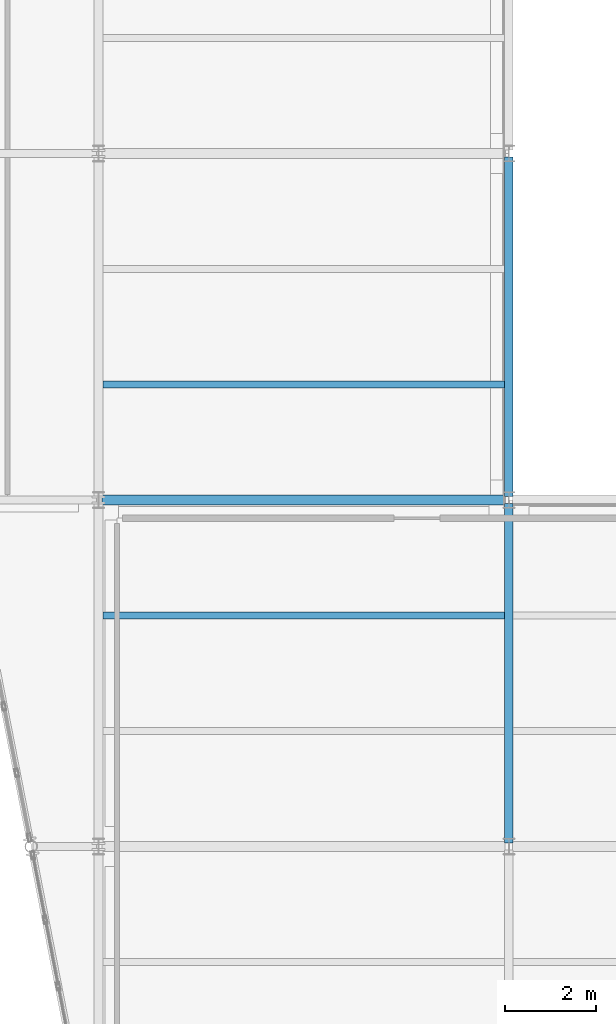
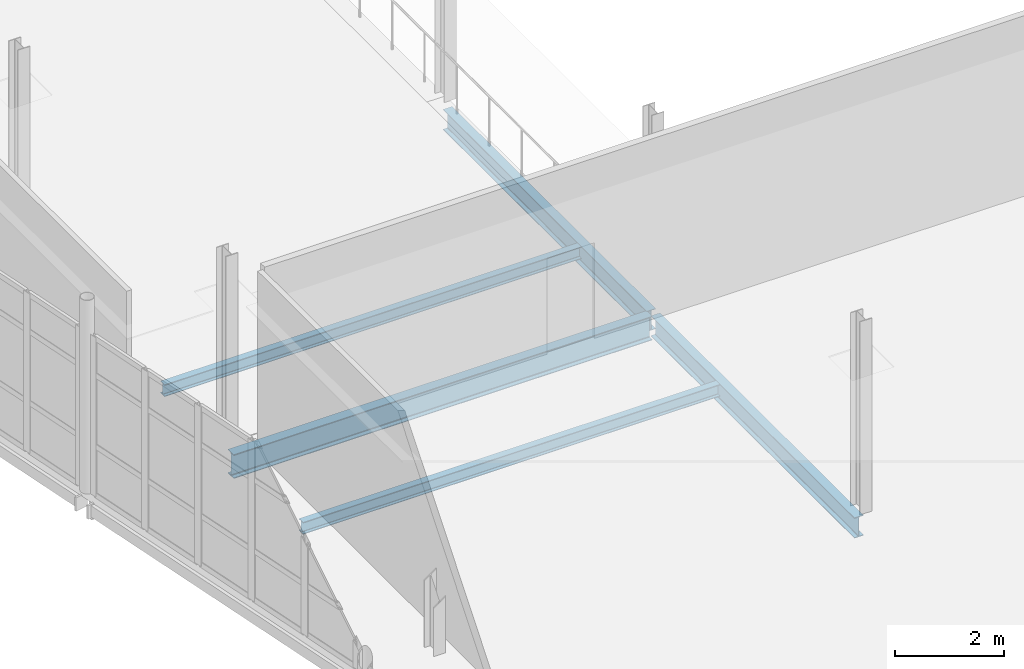
# One storey, part 91 of 174: 5 beams.
"""IFC4 building model written with IfcOpenShell, lengths in metres."""

from ifc_helpers import new_model, si_unit, direction, frame, origin, origin_2d, place, context, subcontext, project, spatial, i_section, extrude, material, material_profile, profile_set, type_object, element, save


model = new_model("IFC4")

# Units and contexts
model_context = context("Model", 3, precision=1e-05, world=origin(), true_north=direction((0.0, 1.0)))
body_context = subcontext(model_context, "Body", "Model", "MODEL_VIEW")
ifc_project = project(units=[si_unit("LENGTHUNIT", "METRE"), si_unit("AREAUNIT", "SQUARE_METRE"), si_unit("VOLUMEUNIT", "CUBIC_METRE"), si_unit("PLANEANGLEUNIT", "RADIAN"), si_unit("MASSUNIT", "GRAM", prefix="KILO")], contexts=[model_context])

# Site, building, storey
site_placement = place(None, origin())
site = spatial("IfcSite", under=ifc_project, at=site_placement, CompositionType="ELEMENT")
building_placement = place(site_placement, origin())
building = spatial("IfcBuilding", under=site, at=building_placement, Name="Caisbarro Railhouse Central Library", CompositionType="ELEMENT")
storey_placement = place(building_placement, frame((0.0, 0.0, 5.0400390625)))
storey = spatial("IfcBuildingStorey", under=building, at=storey_placement, Name="L01", CompositionType="ELEMENT", Elevation=5.0400390625)

# Beams
ifc_material = material(Name="Steel ASTM A572 Grade 50", Category="steel")
ifc_material_profile_1 = material_profile(ifc_material, i_section(OverallWidth=0.208984375, OverallDepth=0.532958984375, WebThickness=0.01025390625, FlangeThickness=0.015625, FilletRadius=0.02001953125, at=origin_2d()), Name="W530X92.0")
ifc_profile_set_1 = profile_set([ifc_material_profile_1], Name="Steel ASTM A572 Grade 50")
beam_type_1 = type_object("IfcBeamType", Name="BM-G06", PredefinedType="BEAM", material=ifc_profile_set_1)
beam_placement = place(storey_placement, frame((117.080078125, 76.0, -0.486572265625), z_axis=(1.0, 0.0, 0.0), x_axis=(0.0, 1.0, 0.0)))
element("IfcBeam", 1, at=beam_placement, inside=storey, type_object=beam_type_1, Name="G06 beam L01 #909", PredefinedType="BEAM", context=body_context, shape_type="SweptSolid", body=[
    extrude(i_section(OverallWidth=0.208984375, OverallDepth=0.532958984375, WebThickness=0.01025390625, FlangeThickness=0.015625, FilletRadius=0.02001953125, at=origin_2d()), origin(), (0.0, 0.0, 1.0), 8.83984375),
])
ifc_material_profile_2 = material_profile(ifc_material, i_section(OverallWidth=0.18994140625, OverallDepth=0.45703125, WebThickness=0.009033203125, FlangeThickness=0.014404296875, FilletRadius=0.01806640625, at=origin_2d()), Name="W460X74.0")
ifc_profile_set_2 = profile_set([ifc_material_profile_2], Name="Steel ASTM A572 Grade 50")
beam_type_2 = type_object("IfcBeamType", Name="BM-G08", PredefinedType="BEAM", material=ifc_profile_set_2)
for number, where, z_axis, x_axis, name in (
    (2, (126.0, 68.47998046875, -0.448486328125), (0.0, 1.0, 0.0), (-1.0, 0.0, 0.0), "G08 beam L01 #939"),
    (3, (126.0, 76.080078125, -0.448486328125), (0.0, 1.0, 0.0), (-1.0, 0.0, 0.0), "G08 beam L01 #940"),
):
    element("IfcBeam", number, at=place(storey_placement, frame(where, z_axis=z_axis, x_axis=x_axis)), inside=storey, type_object=beam_type_2, Name=name, PredefinedType="BEAM", context=body_context, shape_type="SweptSolid", body=[
        extrude(i_section(OverallWidth=0.18994140625, OverallDepth=0.45703125, WebThickness=0.009033203125, FlangeThickness=0.014404296875, FilletRadius=0.01806640625, at=origin_2d()), origin(), (0.0, 0.0, 1.0), 7.43994140625),
    ])
ifc_material_profile_3 = material_profile(ifc_material, i_section(OverallWidth=0.14794921875, OverallDepth=0.26611328125, WebThickness=0.007568359375, FlangeThickness=0.012939453125, FilletRadius=0.010009765625, at=origin_2d()), Name="W250X44.8")
ifc_profile_set_3 = profile_set([ifc_material_profile_3], Name="Steel ASTM A572 Grade 50")
beam_type_3 = type_object("IfcBeamType", Name="BM-J04", PredefinedType="JOIST", material=ifc_profile_set_3)
for number, where, z_axis, x_axis, name in (
    (4, (117.10009765625, 73.466796875, -0.35302734375), (1.0, 0.0, 0.0), (0.0, 1.0, 0.0), "J04 beam L01 #967"),
    (5, (117.10009765625, 78.533203125, -0.35302734375), (1.0, 0.0, 0.0), (0.0, 1.0, 0.0), "J04 beam L01 #968"),
):
    element("IfcBeam", number, at=place(storey_placement, frame(where, z_axis=z_axis, x_axis=x_axis)), inside=storey, type_object=beam_type_3, Name=name, PredefinedType="JOIST", context=body_context, shape_type="SweptSolid", body=[
        extrude(i_section(OverallWidth=0.14794921875, OverallDepth=0.26611328125, WebThickness=0.007568359375, FlangeThickness=0.012939453125, FilletRadius=0.010009765625, at=origin_2d()), origin(), (0.0, 0.0, 1.0), 8.804931640625),
    ])

save(model, "model.ifc")
